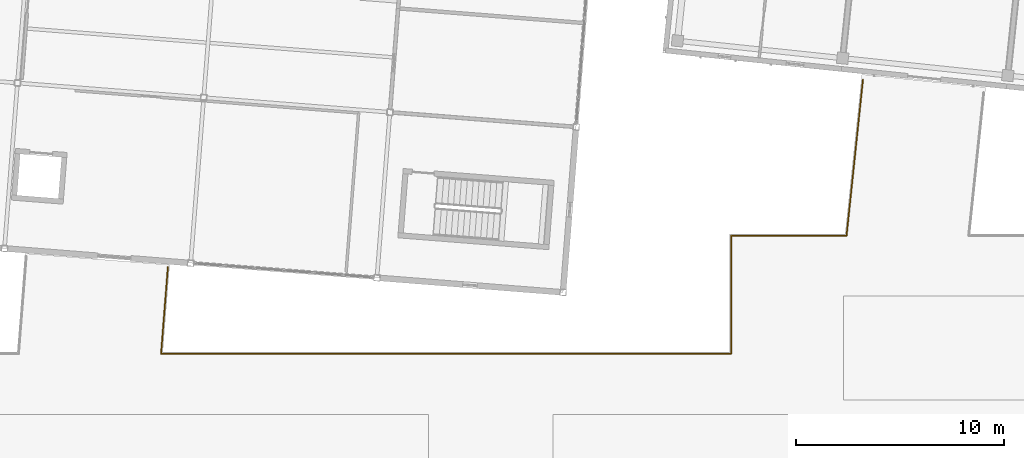
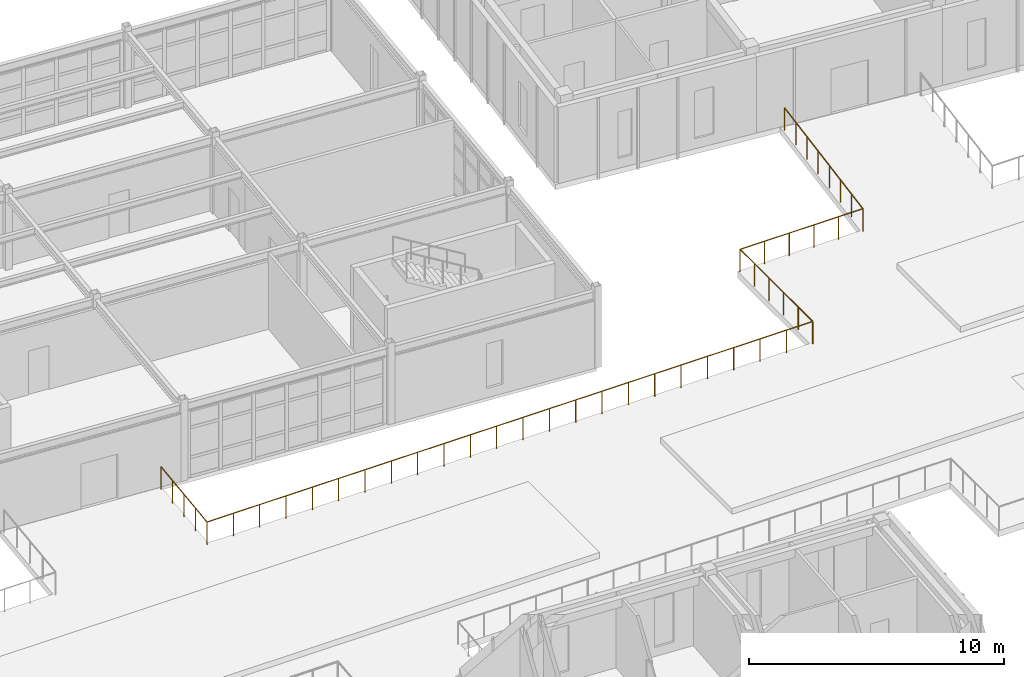
# One storey, part 137 of 150: 1 railing.
"""IFC4 building model written with IfcOpenShell, lengths in metres."""

from ifc_helpers import new_model, si_unit, direction, frame, origin, origin_2d, place, context, subcontext, project, spatial, circle, extrude, material, type_object, element, save


model = new_model("IFC4")

# Units and contexts
model_context = context("Model", 3, precision=1e-05, world=origin(), true_north=direction((0.0, 1.0)))
body_context = subcontext(model_context, "Body", "Model", "MODEL_VIEW")
ifc_project = project(units=[si_unit("LENGTHUNIT", "METRE"), si_unit("AREAUNIT", "SQUARE_METRE"), si_unit("VOLUMEUNIT", "CUBIC_METRE"), si_unit("PLANEANGLEUNIT", "RADIAN"), si_unit("MASSUNIT", "GRAM", prefix="KILO")], contexts=[model_context])

# Site, building, storey
site_placement = place(None, origin())
site = spatial("IfcSite", under=ifc_project, at=site_placement, CompositionType="ELEMENT")
building_placement = place(site_placement, origin())
building = spatial("IfcBuilding", under=site, at=building_placement, Name="Kestramere Prow Commons", CompositionType="ELEMENT")
storey_placement = place(building_placement, frame((0.0, 0.0, 4.5)))
storey = spatial("IfcBuildingStorey", under=building, at=storey_placement, Name="L01", CompositionType="ELEMENT", Elevation=4.5)

# Railing
ifc_material = material(Name="Powder-Coated Aluminium 6063-T6", Category="aluminium")
railing_type = type_object("IfcRailingType", Name="GRD-BALC-1100", PredefinedType="BALUSTRADE", material=ifc_material)
railing_placement = place(storey_placement, frame((85.44580078125, 83.893310546875, 0.0)))
element("IfcRailing", 1, at=railing_placement, inside=storey, type_object=railing_type, Name="Raised Central Courtyard Perimeter Guardrail 6", PredefinedType="BALUSTRADE", context=body_context, shape_type="SweptSolid", body=[
    extrude(circle(Radius=0.02392578125, at=origin_2d()), frame((0.0, 0.0, 1.076171875), z_axis=(-0.078440143896, -0.996918825093, 0.0), x_axis=(0.996918825093, -0.078440143896, 0.0)), (0.0, 0.0, 1.0), 4.186279296875),
    extrude(circle(Radius=0.02392578125, at=origin_2d()), frame((-0.328369140625, -4.17333984375, 1.076171875), z_axis=(1.0, 0.0, 0.0), x_axis=(0.0, 1.0, 0.0)), (0.0, 0.0, 1.0), 27.462646484375),
    extrude(circle(Radius=0.02392578125, at=origin_2d()), frame((27.13427734375, -4.17333984375, 1.076171875), z_axis=(0.0, 1.0, 0.0), x_axis=(-1.0, 0.0, 0.0)), (0.0, 0.0, 1.0), 5.699951171875),
    extrude(circle(Radius=0.02392578125, at=origin_2d()), frame((27.13427734375, 1.526611328125, 1.076171875), z_axis=(1.0, 0.0, 0.0), x_axis=(0.0, 1.0, 0.0)), (0.0, 0.0, 1.0), 5.56396484375),
    extrude(circle(Radius=0.02392578125, at=origin_2d()), frame((32.6982421875, 1.526611328125, 1.076171875), z_axis=(0.10454670897, 0.994519977498, 0.0), x_axis=(-0.994519977498, 0.10454670897, 0.0)), (0.0, 0.0, 1.0), 7.54736328125),
    extrude(circle(Radius=0.02099609375, at=origin_2d()), origin(), (0.0, 0.0, 1.0), 1.052001953125),
    extrude(circle(Radius=0.02099609375, at=origin_2d()), frame((-0.08203125, -1.04345703125, 0.0)), (0.0, 0.0, 1.0), 1.052001953125),
    extrude(circle(Radius=0.02099609375, at=origin_2d()), frame((-0.1640625, -2.086669921875, 0.0)), (0.0, 0.0, 1.0), 1.052001953125),
    extrude(circle(Radius=0.02099609375, at=origin_2d()), frame((-0.246337890625, -3.1298828125, 0.0)), (0.0, 0.0, 1.0), 1.052001953125),
    extrude(circle(Radius=0.02099609375, at=origin_2d()), frame((-0.328369140625, -4.17333984375, 0.0)), (0.0, 0.0, 1.0), 1.052001953125),
    extrude(circle(Radius=0.02099609375, at=origin_2d()), frame((0.86572265625, -4.17333984375, 0.0)), (0.0, 0.0, 1.0), 1.052001953125),
    extrude(circle(Radius=0.02099609375, at=origin_2d()), frame((2.0595703125, -4.17333984375, 0.0)), (0.0, 0.0, 1.0), 1.052001953125),
    extrude(circle(Radius=0.02099609375, at=origin_2d()), frame((3.253662109375, -4.17333984375, 0.0)), (0.0, 0.0, 1.0), 1.052001953125),
    extrude(circle(Radius=0.02099609375, at=origin_2d()), frame((4.44775390625, -4.17333984375, 0.0)), (0.0, 0.0, 1.0), 1.052001953125),
    extrude(circle(Radius=0.02099609375, at=origin_2d()), frame((5.641845703125, -4.17333984375, 0.0)), (0.0, 0.0, 1.0), 1.052001953125),
    extrude(circle(Radius=0.02099609375, at=origin_2d()), frame((6.835693359375, -4.17333984375, 0.0)), (0.0, 0.0, 1.0), 1.052001953125),
    extrude(circle(Radius=0.02099609375, at=origin_2d()), frame((8.02978515625, -4.17333984375, 0.0)), (0.0, 0.0, 1.0), 1.052001953125),
    extrude(circle(Radius=0.02099609375, at=origin_2d()), frame((9.223876953125, -4.17333984375, 0.0)), (0.0, 0.0, 1.0), 1.052001953125),
    extrude(circle(Radius=0.02099609375, at=origin_2d()), frame((10.41796875, -4.17333984375, 0.0)), (0.0, 0.0, 1.0), 1.052001953125),
    extrude(circle(Radius=0.02099609375, at=origin_2d()), frame((11.61181640625, -4.17333984375, 0.0)), (0.0, 0.0, 1.0), 1.052001953125),
    extrude(circle(Radius=0.02099609375, at=origin_2d()), frame((12.805908203125, -4.17333984375, 0.0)), (0.0, 0.0, 1.0), 1.052001953125),
    extrude(circle(Radius=0.02099609375, at=origin_2d()), frame((14.0, -4.17333984375, 0.0)), (0.0, 0.0, 1.0), 1.052001953125),
    extrude(circle(Radius=0.02099609375, at=origin_2d()), frame((15.194091796875, -4.17333984375, 0.0)), (0.0, 0.0, 1.0), 1.052001953125),
    extrude(circle(Radius=0.02099609375, at=origin_2d()), frame((16.387939453125, -4.17333984375, 0.0)), (0.0, 0.0, 1.0), 1.052001953125),
    extrude(circle(Radius=0.02099609375, at=origin_2d()), frame((17.58203125, -4.17333984375, 0.0)), (0.0, 0.0, 1.0), 1.052001953125),
    extrude(circle(Radius=0.02099609375, at=origin_2d()), frame((18.776123046875, -4.17333984375, 0.0)), (0.0, 0.0, 1.0), 1.052001953125),
    extrude(circle(Radius=0.02099609375, at=origin_2d()), frame((19.97021484375, -4.17333984375, 0.0)), (0.0, 0.0, 1.0), 1.052001953125),
    extrude(circle(Radius=0.02099609375, at=origin_2d()), frame((21.1640625, -4.17333984375, 0.0)), (0.0, 0.0, 1.0), 1.052001953125),
    extrude(circle(Radius=0.02099609375, at=origin_2d()), frame((22.358154296875, -4.17333984375, 0.0)), (0.0, 0.0, 1.0), 1.052001953125),
    extrude(circle(Radius=0.02099609375, at=origin_2d()), frame((23.55224609375, -4.17333984375, 0.0)), (0.0, 0.0, 1.0), 1.052001953125),
    extrude(circle(Radius=0.02099609375, at=origin_2d()), frame((24.746337890625, -4.17333984375, 0.0)), (0.0, 0.0, 1.0), 1.052001953125),
    extrude(circle(Radius=0.02099609375, at=origin_2d()), frame((25.940185546875, -4.17333984375, 0.0)), (0.0, 0.0, 1.0), 1.052001953125),
    extrude(circle(Radius=0.02099609375, at=origin_2d()), frame((27.13427734375, -4.17333984375, 0.0)), (0.0, 0.0, 1.0), 1.052001953125),
    extrude(circle(Radius=0.02099609375, at=origin_2d()), frame((27.13427734375, -3.033447265625, 0.0)), (0.0, 0.0, 1.0), 1.052001953125),
    extrude(circle(Radius=0.02099609375, at=origin_2d()), frame((27.13427734375, -1.893310546875, 0.0)), (0.0, 0.0, 1.0), 1.052001953125),
    extrude(circle(Radius=0.02099609375, at=origin_2d()), frame((27.13427734375, -0.75341796875, 0.0)), (0.0, 0.0, 1.0), 1.052001953125),
    extrude(circle(Radius=0.02099609375, at=origin_2d()), frame((27.13427734375, 0.38671875, 0.0)), (0.0, 0.0, 1.0), 1.052001953125),
    extrude(circle(Radius=0.02099609375, at=origin_2d()), frame((27.13427734375, 1.526611328125, 0.0)), (0.0, 0.0, 1.0), 1.052001953125),
    extrude(circle(Radius=0.02099609375, at=origin_2d()), frame((28.2470703125, 1.526611328125, 0.0)), (0.0, 0.0, 1.0), 1.052001953125),
    extrude(circle(Radius=0.02099609375, at=origin_2d()), frame((29.35986328125, 1.526611328125, 0.0)), (0.0, 0.0, 1.0), 1.052001953125),
    extrude(circle(Radius=0.02099609375, at=origin_2d()), frame((30.47265625, 1.526611328125, 0.0)), (0.0, 0.0, 1.0), 1.052001953125),
    extrude(circle(Radius=0.02099609375, at=origin_2d()), frame((31.58544921875, 1.526611328125, 0.0)), (0.0, 0.0, 1.0), 1.052001953125),
    extrude(circle(Radius=0.02099609375, at=origin_2d()), frame((32.6982421875, 1.526611328125, 0.0)), (0.0, 0.0, 1.0), 1.052001953125),
    extrude(circle(Radius=0.02099609375, at=origin_2d()), frame((32.81103515625, 2.598876953125, 0.0)), (0.0, 0.0, 1.0), 1.052001953125),
    extrude(circle(Radius=0.02099609375, at=origin_2d()), frame((32.923583984375, 3.671142578125, 0.0)), (0.0, 0.0, 1.0), 1.052001953125),
    extrude(circle(Radius=0.02099609375, at=origin_2d()), frame((33.036376953125, 4.743408203125, 0.0)), (0.0, 0.0, 1.0), 1.052001953125),
    extrude(circle(Radius=0.02099609375, at=origin_2d()), frame((33.149169921875, 5.81591796875, 0.0)), (0.0, 0.0, 1.0), 1.052001953125),
    extrude(circle(Radius=0.02099609375, at=origin_2d()), frame((33.261962890625, 6.88818359375, 0.0)), (0.0, 0.0, 1.0), 1.052001953125),
    extrude(circle(Radius=0.02099609375, at=origin_2d()), frame((33.37451171875, 7.96044921875, 0.0)), (0.0, 0.0, 1.0), 1.052001953125),
    extrude(circle(Radius=0.02099609375, at=origin_2d()), frame((33.4873046875, 9.03271484375, 0.0)), (0.0, 0.0, 1.0), 1.052001953125),
])

save(model, "model.ifc")
